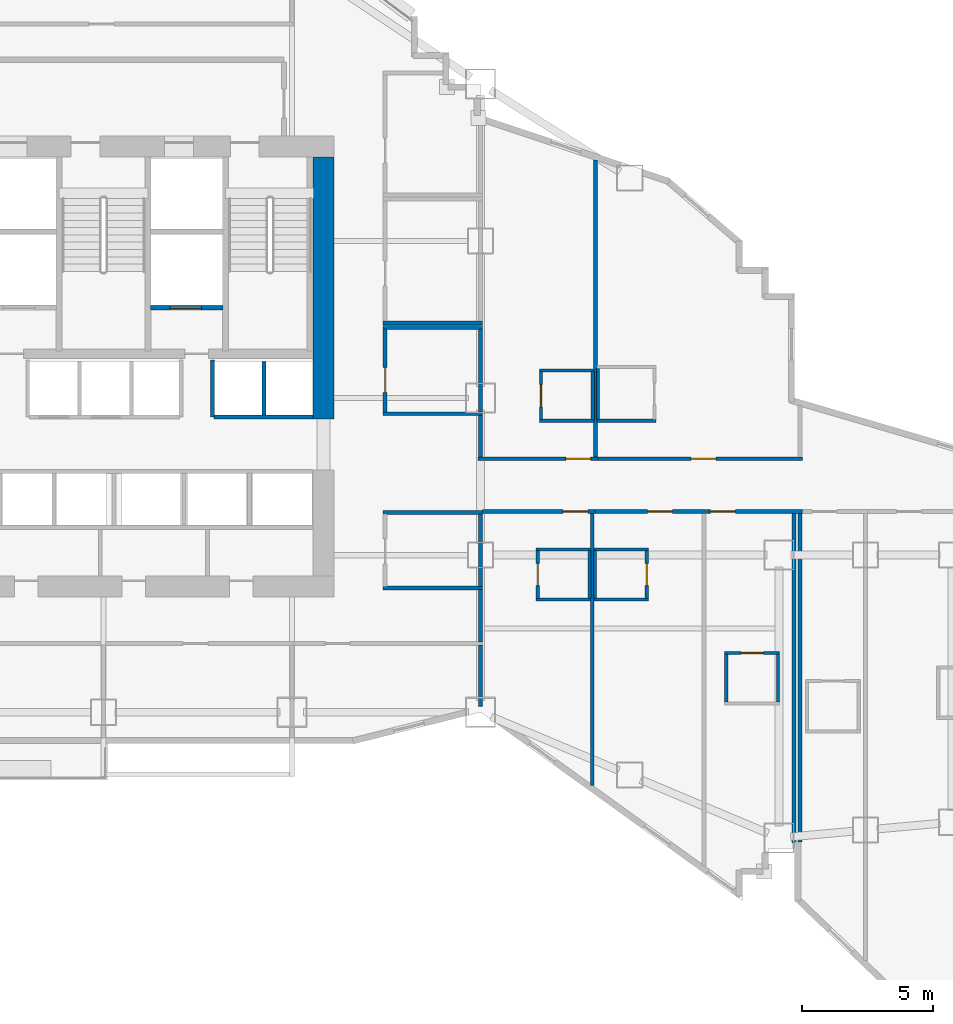
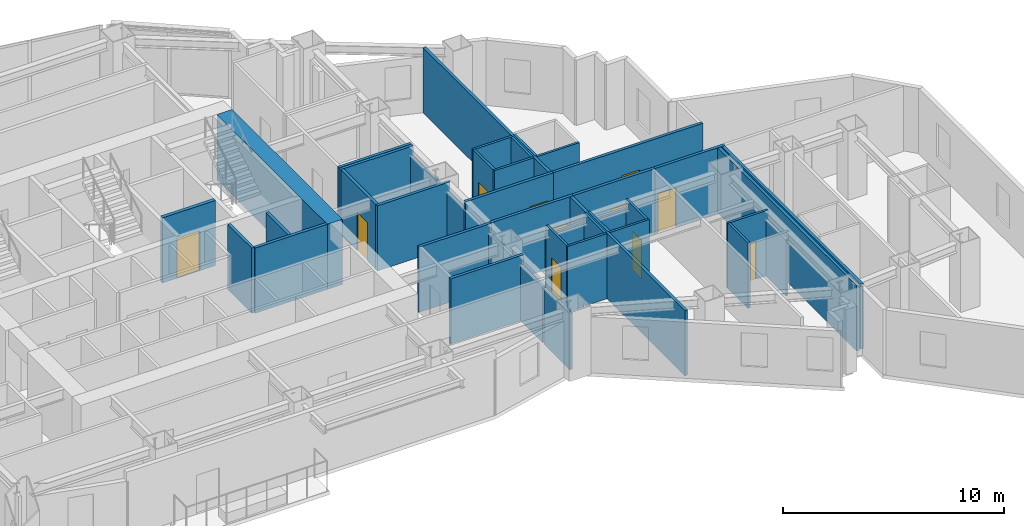
# One storey, part 9 of 17: 42 walls, 11 doors, 11 openings.
"""IFC4 building model written with IfcOpenShell, lengths in metres."""

from ifc_helpers import new_model, si_unit, direction, frame, frame_2d, origin, place, context, subcontext, project, spatial, rectangle, extrude, material, layer, layer_set, type_object, element, fill, save


model = new_model("IFC4")

# Units and contexts
model_context = context("Model", 3, precision=1e-05, world=origin(), true_north=direction((0.0, 1.0)))
body_context = subcontext(model_context, "Body", "Model", "MODEL_VIEW")
ifc_project = project(units=[si_unit("LENGTHUNIT", "METRE"), si_unit("AREAUNIT", "SQUARE_METRE"), si_unit("VOLUMEUNIT", "CUBIC_METRE"), si_unit("PLANEANGLEUNIT", "RADIAN"), si_unit("MASSUNIT", "GRAM", prefix="KILO")], contexts=[model_context])

# Site, building, storey
site_placement = place(None, origin())
site = spatial("IfcSite", under=ifc_project, at=site_placement, CompositionType="ELEMENT")
building_placement = place(site_placement, origin())
building = spatial("IfcBuilding", under=site, at=building_placement, Name="Haolan Belvedere Tower", CompositionType="ELEMENT")
storey_placement = place(building_placement, frame((0.0, 0.0, 55.199951171875)))
storey = spatial("IfcBuildingStorey", under=building, at=storey_placement, Name="L13", CompositionType="ELEMENT", Elevation=55.199951171875)

# Walls
ifc_material_1 = material(Name="Concrete C70/85", Category="concrete")
ifc_layer_1 = layer(ifc_material_1, 0.800048828125, Name="Concrete C70/85")
ifc_layer_set_1 = layer_set([ifc_layer_1], Name="Concrete C70/85")
wall_type_1 = type_object("IfcWallType", Name="WL-CORE-800", PredefinedType="SHEAR", material=ifc_layer_set_1)
wall_1_placement = place(storey_placement, frame((46.800048828125, 32.800048828125, 0.0), z_axis=(0.0, 0.0, 1.0), x_axis=(0.0, 1.0, 0.0)))
element("IfcWall", 1, at=wall_1_placement, inside=storey, type_object=wall_type_1, Name="L13 central core shear wall EN", PredefinedType="SHEAR", context=body_context, shape_type="SweptSolid", body=[
    extrude(rectangle(XDim=10.0, YDim=0.800048828125, at=frame_2d((5.0, 0.0))), origin(), (0.0, 0.0, 1.0), 3.60009765625),
])
ifc_material_2 = material(Name="Double gypsum acoustic stud partition", Category="masonry")
ifc_layer_2 = layer(ifc_material_2, 0.14990234375, Name="Double gypsum acoustic stud partition")
ifc_layer_set_2 = layer_set([ifc_layer_2], Name="Double gypsum acoustic stud partition")
wall_type_2 = type_object("IfcWallType", Name="WL-PART-150", PredefinedType="PARTITIONING", material=ifc_layer_set_2)
for number, where, z_axis, x_axis, name in (
    (2, (49.080078125, 36.300048828125, 0.0), (0.0, 0.0, 1.0), (1.0, 0.0, 0.0), "L13 interior partition IW-L13-AWC-N"),
    (3, (49.080078125, 33.0, 0.0), (0.0, 0.0, 1.0), (1.0, 0.0, 0.0), "L13 interior partition IW-L13-AWC-S"),
):
    element("IfcWall", number, at=place(storey_placement, frame(where, z_axis=z_axis, x_axis=x_axis)), inside=storey, type_object=wall_type_2, Name=name, PredefinedType="PARTITIONING", context=body_context, shape_type="SweptSolid", body=[
        extrude(rectangle(XDim=3.7998046875, YDim=0.14990234375, at=frame_2d((1.89990234375, 0.0))), origin(), (0.0, 0.0, 1.0), 3.60009765625),
    ])

# Wall, opening, door
wall_2_placement = place(storey_placement, frame((49.159912109375, 33.06005859375, 0.0), z_axis=(0.0, 0.0, 1.0), x_axis=(0.0, 1.0, 0.0)))
wall_2 = element("IfcWall", 4, at=wall_2_placement, inside=storey, type_object=wall_type_2, Name="L13 interior partition IW-L13-AWC-W", PredefinedType="PARTITIONING", context=body_context, shape_type="SweptSolid", body=[
    extrude(rectangle(XDim=3.179931640625, YDim=0.14990234375, at=frame_2d((1.58984375, 0.0))), origin(), (0.0, 0.0, 1.0), 3.60009765625),
])
opening_1_placement = place(wall_2_placement, frame((0.760009765625, 0.0, 0.0)))
opening_1 = element("IfcOpeningElement", 5, at=opening_1_placement, cuts=wall_2, Name="Opening ID-03", PredefinedType="OPENING", context=body_context, shape_type="SweptSolid", body=[
    extrude(rectangle(XDim=0.949951171875, YDim=2.1201171875, at=frame_2d((0.47509765625, 1.06005859375))), frame((0.0, 0.0849609375, 0.0), z_axis=(0.0, -1.0, 0.0), x_axis=(1.0, 0.0, 0.0)), (0.0, 0.0, 1.0), 0.169921875),
])
ifc_material_3 = material(Name="Painted solid-core timber", Category="wood")
door_type_1 = type_object("IfcDoorType", Name="DR-INT-950", OperationType="NOTDEFINED", PredefinedType="DOOR", material=ifc_material_3)
door_1_placement = place(opening_1_placement, origin())
door_1 = element("IfcDoor", 6, at=door_1_placement, inside=storey, type_object=door_type_1, Name="L13 door ID-L13-AWC", OperationType="SINGLE_SWING_LEFT", OverallHeight=2.1201171875, OverallWidth=0.949951171875, PredefinedType="DOOR", context=body_context, shape_type="SweptSolid", body=[
    extrude(rectangle(XDim=0.949951171875, YDim=2.1201171875, at=frame_2d((0.47509765625, 1.06005859375))), frame((0.0, 0.02490234375, 0.0), z_axis=(0.0, -1.0, 0.0), x_axis=(1.0, 0.0, 0.0)), (0.0, 0.0, 1.0), 0.050048828125),
])
fill(opening_1, door_1)

# Walls
wall_3_placement = place(storey_placement, frame((52.800048828125, 33.06005859375, 0.0), z_axis=(0.0, 0.0, 1.0), x_axis=(0.0, 1.0, 0.0)))
element("IfcWall", 7, at=wall_3_placement, inside=storey, type_object=wall_type_2, Name="L13 interior partition IW-L13-AWC-E", PredefinedType="PARTITIONING", context=body_context, shape_type="SweptSolid", body=[
    extrude(rectangle(XDim=3.179931640625, YDim=0.14990234375, at=frame_2d((1.58984375, 0.0))), origin(), (0.0, 0.0, 1.0), 3.09716796875),
])
for number, where, z_axis, x_axis, name in (
    (8, (49.080078125, 36.4599609375, 0.0), (0.0, 0.0, 1.0), (1.0, 0.0, 0.0), "L13 interior partition IW-L13-STY-S"),
    (9, (49.080078125, 29.22998046875, 0.0), (0.0, 0.0, 1.0), (1.0, 0.0, 0.0), "L13 interior partition IW-L13-PKTE-N"),
    (10, (49.080078125, 26.35009765625, 0.0), (0.0, 0.0, 1.0), (1.0, 0.0, 0.0), "L13 interior partition IW-L13-PKTE-S"),
):
    element("IfcWall", number, at=place(storey_placement, frame(where, z_axis=z_axis, x_axis=x_axis)), inside=storey, type_object=wall_type_2, Name=name, PredefinedType="PARTITIONING", context=body_context, shape_type="SweptSolid", body=[
        extrude(rectangle(XDim=3.7998046875, YDim=0.14990234375, at=frame_2d((1.89990234375, 0.0))), origin(), (0.0, 0.0, 1.0), 3.60009765625),
    ])
wall_4_placement = place(storey_placement, frame((52.800048828125, 26.409912109375, 0.0), z_axis=(0.0, 0.0, 1.0), x_axis=(0.0, 1.0, 0.0)))
element("IfcWall", 11, at=wall_4_placement, inside=storey, type_object=wall_type_2, Name="L13 interior partition IW-L13-PKTE-E", PredefinedType="PARTITIONING", context=body_context, shape_type="SweptSolid", body=[
    extrude(rectangle(XDim=2.760009765625, YDim=0.14990234375, at=frame_2d((1.3798828125, 0.0))), origin(), (0.0, 0.0, 1.0), 3.09716796875),
])
wall_5_placement = place(storey_placement, frame((52.800048828125, 21.818603515625, 0.0), z_axis=(0.0, 0.0, 1.0), x_axis=(0.0, 1.0, 0.0)))
element("IfcWall", 12, at=wall_5_placement, inside=storey, type_object=wall_type_2, Name="L13 interior partition IW-L13-KS3-E", PredefinedType="PARTITIONING", context=body_context, shape_type="SweptSolid", body=[
    extrude(rectangle(XDim=2.34130859375, YDim=0.14990234375, at=frame_2d((1.170654296875, 0.0))), origin(), (0.0, 0.0, 1.0), 3.09716796875),
])

# Wall, opening, door
wall_6_placement = place(storey_placement, frame((52.699951171875, 31.280029296875, 0.0), z_axis=(0.0, 0.0, 1.0), x_axis=(1.0, 0.0, 0.0)))
wall_6 = element("IfcWall", 13, at=wall_6_placement, inside=storey, type_object=wall_type_2, Name="L13 interior partition IW-L13-T4N1-S", PredefinedType="PARTITIONING", context=body_context, shape_type="SweptSolid", body=[
    extrude(rectangle(XDim=4.590087890625, YDim=0.14990234375, at=frame_2d((2.294921875, 0.0))), origin(), (0.0, 0.0, 1.0), 3.60009765625),
])
opening_2_placement = place(wall_6_placement, frame((3.361328125, 0.0, 0.0)))
opening_2 = element("IfcOpeningElement", 14, at=opening_2_placement, cuts=wall_6, Name="Opening ID-02", PredefinedType="OPENING", context=body_context, shape_type="SweptSolid", body=[
    extrude(rectangle(XDim=0.949951171875, YDim=2.14990234375, at=frame_2d((0.47509765625, 1.074951171875))), frame((0.0, 0.0849609375, 0.0), z_axis=(0.0, -1.0, 0.0), x_axis=(1.0, 0.0, 0.0)), (0.0, 0.0, 1.0), 0.169921875),
])
ifc_material_4 = material(Name="Acoustic oak veneer fire-rated timber", Category="wood")
door_type_2 = type_object("IfcDoorType", Name="DR-GUEST-950", OperationType="NOTDEFINED", PredefinedType="DOOR", material=ifc_material_4)
door_2_placement = place(opening_2_placement, origin())
door_2 = element("IfcDoor", 15, at=door_2_placement, inside=storey, type_object=door_type_2, Name="L13 door ID-L13-T4N1-ENT", OperationType="SINGLE_SWING_RIGHT", OverallHeight=2.14990234375, OverallWidth=0.949951171875, PredefinedType="DOOR", context=body_context, shape_type="SweptSolid", body=[
    extrude(rectangle(XDim=0.949951171875, YDim=2.14990234375, at=frame_2d((0.47509765625, 1.074951171875))), frame((0.0, 0.02490234375, 0.0), z_axis=(0.0, -1.0, 0.0), x_axis=(1.0, 0.0, 0.0)), (0.0, 0.0, 1.0), 0.050048828125),
])
fill(opening_2, door_2)

# Walls
wall_7_placement = place(storey_placement, frame((52.800048828125, 31.340087890625, 0.0), z_axis=(0.0, 0.0, 1.0), x_axis=(0.0, 1.0, 0.0)))
element("IfcWall", 16, at=wall_7_placement, inside=storey, type_object=wall_type_2, Name="L13 interior partition IW-L13-T4N1-W", PredefinedType="PARTITIONING", context=body_context, shape_type="SweptSolid", body=[
    extrude(rectangle(XDim=1.599853515625, YDim=0.14990234375, at=frame_2d((0.7998046875, 0.0))), origin(), (0.0, 0.0, 1.0), 3.09716796875),
])
wall_8_placement = place(storey_placement, frame((57.18994140625, 31.340087890625, 0.0), z_axis=(0.0, 0.0, 1.0), x_axis=(0.0, 1.0, 0.0)))
element("IfcWall", 17, at=wall_8_placement, inside=storey, type_object=wall_type_2, Name="L13 interior partition IW-L13-T4N1-E", PredefinedType="PARTITIONING", context=body_context, shape_type="SweptSolid", body=[
    extrude(rectangle(XDim=11.359375, YDim=0.14990234375, at=frame_2d((5.6796875, 0.0))), origin(), (0.0, 0.0, 1.0), 3.60009765625),
])

# Wall, opening, door
wall_9_placement = place(storey_placement, frame((57.2919921875, 31.280029296875, 0.0), z_axis=(0.0, 0.0, 1.0), x_axis=(1.0, 0.0, 0.0)))
wall_9 = element("IfcWall", 18, at=wall_9_placement, inside=storey, type_object=wall_type_2, Name="L13 interior partition IW-L13-T4N2-S", PredefinedType="PARTITIONING", context=body_context, shape_type="SweptSolid", body=[
    extrude(rectangle(XDim=7.80810546875, YDim=0.14990234375, at=frame_2d((3.904052734375, 0.0))), origin(), (0.0, 0.0, 1.0), 3.60009765625),
])
opening_3_placement = place(wall_9_placement, frame((3.55126953125, 0.0, 0.0)))
opening_3 = element("IfcOpeningElement", 19, at=opening_3_placement, cuts=wall_9, Name="Opening ID-01", PredefinedType="OPENING", context=body_context, shape_type="SweptSolid", body=[
    extrude(rectangle(XDim=0.949951171875, YDim=2.179931640625, at=frame_2d((0.47509765625, 1.08984375))), frame((0.0, 0.0849609375, 0.0), z_axis=(0.0, -1.0, 0.0), x_axis=(1.0, 0.0, 0.0)), (0.0, 0.0, 1.0), 0.169921875),
])
ifc_material_5 = material(Name="Acoustic walnut veneer fire-rated timber", Category="wood")
door_type_3 = type_object("IfcDoorType", Name="DR-SUITE-950", OperationType="NOTDEFINED", PredefinedType="DOOR", material=ifc_material_5)
door_3_placement = place(opening_3_placement, origin())
door_3 = element("IfcDoor", 20, at=door_3_placement, inside=storey, type_object=door_type_3, Name="L13 door ID-L13-T4N2-ENT", OperationType="SINGLE_SWING_LEFT", OverallHeight=2.179931640625, OverallWidth=0.949951171875, PredefinedType="DOOR", context=body_context, shape_type="SweptSolid", body=[
    extrude(rectangle(XDim=0.949951171875, YDim=2.179931640625, at=frame_2d((0.47509765625, 1.08984375))), frame((0.0, 0.02490234375, 0.0), z_axis=(0.0, -1.0, 0.0), x_axis=(1.0, 0.0, 0.0)), (0.0, 0.0, 1.0), 0.050048828125),
])
fill(opening_3, door_3)

wall_10_placement = place(storey_placement, frame((52.882080078125, 29.27001953125, 0.0), z_axis=(0.0, 0.0, 1.0), x_axis=(1.0, 0.0, 0.0)))
wall_10 = element("IfcWall", 21, at=wall_10_placement, inside=storey, type_object=wall_type_2, Name="L13 interior partition IW-L13-T4S1-N", PredefinedType="PARTITIONING", context=body_context, shape_type="SweptSolid", body=[
    extrude(rectangle(XDim=4.287841796875, YDim=0.14990234375, at=frame_2d((2.14404296875, 0.0))), origin(), (0.0, 0.0, 1.0), 3.60009765625),
])
opening_4_placement = place(wall_10_placement, frame((4.020263671875, 0.0, 0.0), z_axis=(0.0, 0.0, 1.0), x_axis=(-1.0, 0.0, 0.0)))
opening_4 = element("IfcOpeningElement", 22, at=opening_4_placement, cuts=wall_10, Name="Opening ID-02", PredefinedType="OPENING", context=body_context, shape_type="SweptSolid", body=[
    extrude(rectangle(XDim=0.949951171875, YDim=2.14990234375, at=frame_2d((0.47509765625, 1.074951171875))), frame((0.0, 0.0849609375, 0.0), z_axis=(0.0, -1.0, 0.0), x_axis=(1.0, 0.0, 0.0)), (0.0, 0.0, 1.0), 0.169921875),
])
door_4_placement = place(opening_4_placement, origin())
door_4 = element("IfcDoor", 23, at=door_4_placement, inside=storey, type_object=door_type_2, Name="L13 door ID-L13-T4S1-ENT", OperationType="SINGLE_SWING_RIGHT", OverallHeight=2.14990234375, OverallWidth=0.949951171875, PredefinedType="DOOR", context=body_context, shape_type="SweptSolid", body=[
    extrude(rectangle(XDim=0.949951171875, YDim=2.14990234375, at=frame_2d((0.47509765625, 1.074951171875))), frame((0.0, 0.02490234375, 0.0), z_axis=(0.0, -1.0, 0.0), x_axis=(1.0, 0.0, 0.0)), (0.0, 0.0, 1.0), 0.050048828125),
])
fill(opening_4, door_4)

# Walls
wall_11_placement = place(storey_placement, frame((52.800048828125, 24.280029296875, 0.0), z_axis=(0.0, 0.0, 1.0), x_axis=(0.0, 1.0, 0.0)))
element("IfcWall", 24, at=wall_11_placement, inside=storey, type_object=wall_type_2, Name="L13 interior partition IW-L13-T4S1-W", PredefinedType="PARTITIONING", context=body_context, shape_type="SweptSolid", body=[
    extrude(rectangle(XDim=2.010009765625, YDim=0.14990234375, at=frame_2d((1.0048828125, 0.0))), origin(), (0.0, 0.0, 1.0), 3.09716796875),
])
wall_12_placement = place(storey_placement, frame((57.070068359375, 18.802978515625, 0.0), z_axis=(0.0, 0.0, 1.0), x_axis=(0.0, 1.0, 0.0)))
element("IfcWall", 25, at=wall_12_placement, inside=storey, type_object=wall_type_2, Name="L13 interior partition IW-L13-T4S1-E", PredefinedType="PARTITIONING", context=body_context, shape_type="SweptSolid", body=[
    extrude(rectangle(XDim=10.406982421875, YDim=0.14990234375, at=frame_2d((5.20361328125, 0.0))), origin(), (0.0, 0.0, 1.0), 3.60009765625),
])

# Wall, opening, door
wall_13_placement = place(storey_placement, frame((57.172119140625, 29.27001953125, 0.0), z_axis=(0.0, 0.0, 1.0), x_axis=(1.0, 0.0, 0.0)))
wall_13 = element("IfcWall", 26, at=wall_13_placement, inside=storey, type_object=wall_type_2, Name="L13 interior partition IW-L13-T4S2-N", PredefinedType="PARTITIONING", context=body_context, shape_type="SweptSolid", body=[
    extrude(rectangle(XDim=4.267822265625, YDim=0.14990234375, at=frame_2d((2.1337890625, 0.0))), origin(), (0.0, 0.0, 1.0), 3.60009765625),
])
opening_5_placement = place(wall_13_placement, frame((2.95947265625, 0.0, 0.0), z_axis=(0.0, 0.0, 1.0), x_axis=(-1.0, 0.0, 0.0)))
opening_5 = element("IfcOpeningElement", 27, at=opening_5_placement, cuts=wall_13, Name="Opening ID-02", PredefinedType="OPENING", context=body_context, shape_type="SweptSolid", body=[
    extrude(rectangle(XDim=0.949951171875, YDim=2.14990234375, at=frame_2d((0.47509765625, 1.074951171875))), frame((0.0, 0.0849609375, 0.0), z_axis=(0.0, -1.0, 0.0), x_axis=(1.0, 0.0, 0.0)), (0.0, 0.0, 1.0), 0.169921875),
])
door_5_placement = place(opening_5_placement, origin())
door_5 = element("IfcDoor", 28, at=door_5_placement, inside=storey, type_object=door_type_2, Name="L13 door ID-L13-T4S2-ENT", OperationType="SINGLE_SWING_LEFT", OverallHeight=2.14990234375, OverallWidth=0.949951171875, PredefinedType="DOOR", context=body_context, shape_type="SweptSolid", body=[
    extrude(rectangle(XDim=0.949951171875, YDim=2.14990234375, at=frame_2d((0.47509765625, 1.074951171875))), frame((0.0, 0.02490234375, 0.0), z_axis=(0.0, -1.0, 0.0), x_axis=(1.0, 0.0, 0.0)), (0.0, 0.0, 1.0), 0.050048828125),
])
fill(opening_5, door_5)

wall_14_placement = place(storey_placement, frame((61.44189453125, 29.27001953125, 0.0), z_axis=(0.0, 0.0, 1.0), x_axis=(1.0, 0.0, 0.0)))
wall_14 = element("IfcWall", 29, at=wall_14_placement, inside=storey, type_object=wall_type_2, Name="L13 interior partition IW-L13-T4S3-N", PredefinedType="PARTITIONING", context=body_context, shape_type="SweptSolid", body=[
    extrude(rectangle(XDim=3.658203125, YDim=0.14990234375, at=frame_2d((1.8291015625, 0.0))), origin(), (0.0, 0.0, 1.0), 3.60009765625),
])
opening_6_placement = place(wall_14_placement, frame((1.08984375, 0.0, 0.0), z_axis=(0.0, 0.0, 1.0), x_axis=(-1.0, 0.0, 0.0)))
opening_6 = element("IfcOpeningElement", 30, at=opening_6_placement, cuts=wall_14, Name="Opening ID-02", PredefinedType="OPENING", context=body_context, shape_type="SweptSolid", body=[
    extrude(rectangle(XDim=0.949951171875, YDim=2.14990234375, at=frame_2d((0.47509765625, 1.074951171875))), frame((0.0, 0.0849609375, 0.0), z_axis=(0.0, -1.0, 0.0), x_axis=(1.0, 0.0, 0.0)), (0.0, 0.0, 1.0), 0.169921875),
])
door_6_placement = place(opening_6_placement, origin())
door_6 = element("IfcDoor", 31, at=door_6_placement, inside=storey, type_object=door_type_2, Name="L13 door ID-L13-T4S3-ENT", OperationType="SINGLE_SWING_RIGHT", OverallHeight=2.14990234375, OverallWidth=0.949951171875, PredefinedType="DOOR", context=body_context, shape_type="SweptSolid", body=[
    extrude(rectangle(XDim=0.949951171875, YDim=2.14990234375, at=frame_2d((0.47509765625, 1.074951171875))), frame((0.0, 0.02490234375, 0.0), z_axis=(0.0, -1.0, 0.0), x_axis=(1.0, 0.0, 0.0)), (0.0, 0.0, 1.0), 0.050048828125),
])
fill(opening_6, door_6)

# Walls
wall_15_placement = place(storey_placement, frame((65.0, 16.64208984375, 0.0), z_axis=(0.0, 0.0, 1.0), x_axis=(0.0, 1.0, 0.0)))
element("IfcWall", 32, at=wall_15_placement, inside=storey, type_object=wall_type_2, Name="L13 interior partition IW-L13-T4S3-E", PredefinedType="PARTITIONING", context=body_context, shape_type="SweptSolid", body=[
    extrude(rectangle(XDim=12.56787109375, YDim=0.14990234375, at=frame_2d((6.283935546875, 0.0))), origin(), (0.0, 0.0, 1.0), 3.60009765625),
])
wall_16_placement = place(storey_placement, frame((64.780029296875, 16.612060546875, 0.0), z_axis=(0.0, 0.0, 1.0), x_axis=(0.0, 1.0, 0.0)))
element("IfcWall", 33, at=wall_16_placement, inside=storey, type_object=wall_type_2, Name="L13 interior partition IW-L13-T5S1-W", PredefinedType="PARTITIONING", context=body_context, shape_type="SweptSolid", body=[
    extrude(rectangle(XDim=12.597900390625, YDim=0.14990234375, at=frame_2d((6.298828125, 0.0))), origin(), (0.0, 0.0, 1.0), 3.60009765625),
])
ifc_material_6 = material(Name="Gypsum fire shaftwall assembly", Category="masonry")
ifc_layer_3 = layer(ifc_material_6, 0.1650390625, Name="Gypsum fire shaftwall assembly")
ifc_layer_set_3 = layer_set([ifc_layer_3], Name="Gypsum fire shaftwall assembly")
wall_type_3 = type_object("IfcWallType", Name="WL-SHAFT-160", PredefinedType="SOLIDWALL", material=ifc_layer_set_3)
wall_17_placement = place(storey_placement, frame((42.570068359375, 32.8798828125, 0.0), z_axis=(0.0, 0.0, 1.0), x_axis=(0.0, 1.0, 0.0)))
element("IfcWall", 34, at=wall_17_placement, inside=storey, type_object=wall_type_3, Name="L13 interior partition IW-L13-SVP-E-SV2", PredefinedType="SOLIDWALL", context=body_context, shape_type="SweptSolid", body=[
    extrude(rectangle(XDim=2.170166015625, YDim=0.14990234375, at=frame_2d((1.0849609375, 0.0))), origin(), (0.0, 0.0, 1.0), 3.60009765625),
])
wall_18_placement = place(storey_placement, frame((42.6298828125, 32.8798828125, 0.0), z_axis=(0.0, 0.0, 1.0), x_axis=(1.0, 0.0, 0.0)))
element("IfcWall", 35, at=wall_18_placement, inside=storey, type_object=wall_type_3, Name="L13 interior partition IW-L13-ROW-PN3", PredefinedType="SOLIDWALL", context=body_context, shape_type="SweptSolid", body=[
    extrude(rectangle(XDim=3.77001953125, YDim=0.159912109375, at=frame_2d((1.885009765625, 0.0))), origin(), (0.0, 0.0, 1.0), 3.60009765625),
])
wall_19_placement = place(storey_placement, frame((44.530029296875, 32.949951171875, 0.0), z_axis=(0.0, 0.0, 1.0), x_axis=(0.0, 1.0, 0.0)))
element("IfcWall", 36, at=wall_19_placement, inside=storey, type_object=wall_type_3, Name="L13 interior partition IW-L13-DIV-PH2", PredefinedType="SOLIDWALL", context=body_context, shape_type="SweptSolid", body=[
    extrude(rectangle(XDim=2.050048828125, YDim=0.14990234375, at=frame_2d((1.02490234375, 0.0))), origin(), (0.0, 0.0, 1.0), 3.60009765625),
])

# Wall, opening, door
ifc_material_7 = material(Name="Precast concrete C40/50", Category="concrete")
ifc_layer_4 = layer(ifc_material_7, 0.179931640625, Name="Precast concrete C40/50")
ifc_layer_set_4 = layer_set([ifc_layer_4], Name="Precast concrete C40/50")
wall_type_4 = type_object("IfcWallType", Name="WL-SHAFT-180", PredefinedType="SOLIDWALL", material=ifc_layer_set_4)
wall_20_placement = place(storey_placement, frame((40.195068359375, 37.050048828125, 0.0), z_axis=(0.0, 0.0, 1.0), x_axis=(1.0, 0.0, 0.0)))
wall_20 = element("IfcWall", 37, at=wall_20_placement, inside=storey, type_object=wall_type_4, Name="L13 interior partition IW-L13-SV2-S", PredefinedType="SOLIDWALL", context=body_context, shape_type="SweptSolid", body=[
    extrude(rectangle(XDim=2.77001953125, YDim=0.179931640625, at=frame_2d((1.385009765625, 0.0))), origin(), (0.0, 0.0, 1.0), 3.60009765625),
])
opening_7_placement = place(wall_20_placement, frame((1.945068359375, 0.0, 0.0), z_axis=(0.0, 0.0, 1.0), x_axis=(-1.0, 0.0, 0.0)))
opening_7 = element("IfcOpeningElement", 38, at=opening_7_placement, cuts=wall_20, Name="Opening LD-02", PredefinedType="OPENING", context=body_context, shape_type="SweptSolid", body=[
    extrude(rectangle(XDim=1.199951171875, YDim=2.199951171875, at=frame_2d((0.60009765625, 1.10009765625))), frame((0.0, 0.099853515625, 0.0), z_axis=(0.0, -1.0, 0.0), x_axis=(1.0, 0.0, 0.0)), (0.0, 0.0, 1.0), 0.199951171875),
])
ifc_material_8 = material(Name="Brushed champagne stainless steel 316L", Category="steel")
door_type_4 = type_object("IfcDoorType", Name="DR-LIFT-1200", OperationType="SLIDING_TO_RIGHT", PredefinedType="DOOR", material=ifc_material_8)
door_7_placement = place(opening_7_placement, origin())
door_7 = element("IfcDoor", 39, at=door_7_placement, inside=storey, type_object=door_type_4, Name="L13 door ID-L13-LD-SV2", OperationType="SLIDING_TO_RIGHT", OverallHeight=2.199951171875, OverallWidth=1.199951171875, PredefinedType="DOOR", context=body_context, shape_type="SweptSolid", body=[
    extrude(rectangle(XDim=1.199951171875, YDim=2.199951171875, at=frame_2d((0.60009765625, 1.10009765625))), frame((0.0, 0.02490234375, 0.0), z_axis=(0.0, -1.0, 0.0), x_axis=(1.0, 0.0, 0.0)), (0.0, 0.0, 1.0), 0.050048828125),
])
fill(opening_7, door_7)

# Walls
ifc_material_9 = material(Name="Moisture-resistant gypsum tile partition", Category="masonry")
ifc_layer_5 = layer(ifc_material_9, 0.1201171875, Name="Moisture-resistant gypsum tile partition")
ifc_layer_set_5 = layer_set([ifc_layer_5], Name="Moisture-resistant gypsum tile partition")
wall_type_5 = type_object("IfcWallType", Name="WL-WET-120", PredefinedType="PARTITIONING", material=ifc_layer_set_5)
for number, where, z_axis, x_axis, name in (
    (40, (55.050048828125, 34.64990234375, 0.0), (0.0, 0.0, 1.0), (1.0, 0.0, 0.0), "L13 interior partition IW-L13-T4N1-BN"),
    (41, (55.050048828125, 32.72998046875, 0.0), (0.0, 0.0, 1.0), (1.0, 0.0, 0.0), "L13 interior partition IW-L13-T4N1-BS"),
):
    element("IfcWall", number, at=place(storey_placement, frame(where, z_axis=z_axis, x_axis=x_axis)), inside=storey, type_object=wall_type_5, Name=name, PredefinedType="PARTITIONING", context=body_context, shape_type="SweptSolid", body=[
        extrude(rectangle(XDim=2.079833984375, YDim=0.1201171875, at=frame_2d((1.0400390625, 0.0))), origin(), (0.0, 0.0, 1.0), 3.60009765625),
    ])

# Wall, opening, door
wall_21_placement = place(storey_placement, frame((55.110107421875, 32.77490234375, 0.0), z_axis=(0.0, 0.0, 1.0), x_axis=(0.0, 1.0, 0.0)))
wall_21 = element("IfcWall", 42, at=wall_21_placement, inside=storey, type_object=wall_type_5, Name="L13 interior partition IW-L13-T4N1-BW", PredefinedType="PARTITIONING", context=body_context, shape_type="SweptSolid", body=[
    extrude(rectangle(XDim=1.830078125, YDim=0.1201171875, at=frame_2d((0.9150390625, 0.0))), origin(), (0.0, 0.0, 1.0), 3.60009765625),
])
opening_8_placement = place(wall_21_placement, frame((1.340087890625, 0.0, 0.0), z_axis=(0.0, 0.0, 1.0), x_axis=(-1.0, 0.0, 0.0)))
opening_8 = element("IfcOpeningElement", 43, at=opening_8_placement, cuts=wall_21, Name="Opening ID-05", PredefinedType="OPENING", context=body_context, shape_type="SweptSolid", body=[
    extrude(rectangle(XDim=0.85009765625, YDim=2.10009765625, at=frame_2d((0.425048828125, 1.050048828125))), frame((0.0, 0.070068359375, 0.0), z_axis=(0.0, -1.0, 0.0), x_axis=(1.0, 0.0, 0.0)), (0.0, 0.0, 1.0), 0.14013671875),
])
ifc_material_10 = material(Name="Moisture-resistant lacquered timber", Category="wood")
door_type_5 = type_object("IfcDoorType", Name="DR-BATH-850", OperationType="NOTDEFINED", PredefinedType="DOOR", material=ifc_material_10)
door_8_placement = place(opening_8_placement, origin())
door_8 = element("IfcDoor", 44, at=door_8_placement, inside=storey, type_object=door_type_5, Name="L13 door ID-L13-T4N1-BATH", OperationType="SINGLE_SWING_LEFT", OverallHeight=2.10009765625, OverallWidth=0.85009765625, PredefinedType="DOOR", context=body_context, shape_type="SweptSolid", body=[
    extrude(rectangle(XDim=0.85009765625, YDim=2.10009765625, at=frame_2d((0.425048828125, 1.050048828125))), frame((0.0, 0.02490234375, 0.0), z_axis=(0.0, -1.0, 0.0), x_axis=(1.0, 0.0, 0.0)), (0.0, 0.0, 1.0), 0.050048828125),
])
fill(opening_8, door_8)

# Walls
wall_22_placement = place(storey_placement, frame((57.090087890625, 32.77490234375, 0.0), z_axis=(0.0, 0.0, 1.0), x_axis=(0.0, 1.0, 0.0)))
element("IfcWall", 45, at=wall_22_placement, inside=storey, type_object=wall_type_5, Name="L13 interior partition IW-L13-T4N1-BE", PredefinedType="PARTITIONING", context=body_context, shape_type="SweptSolid", body=[
    extrude(rectangle(XDim=1.830078125, YDim=0.1201171875, at=frame_2d((0.9150390625, 0.0))), origin(), (0.0, 0.0, 1.0), 3.60009765625),
])
wall_23_placement = place(storey_placement, frame((57.25, 32.72998046875, 0.0), z_axis=(0.0, 0.0, 1.0), x_axis=(1.0, 0.0, 0.0)))
element("IfcWall", 46, at=wall_23_placement, inside=storey, type_object=wall_type_5, Name="L13 interior partition IW-L13-T4N2-BS", PredefinedType="PARTITIONING", context=body_context, shape_type="SweptSolid", body=[
    extrude(rectangle(XDim=2.25, YDim=0.1201171875, at=frame_2d((1.125, 0.0))), origin(), (0.0, 0.0, 1.0), 3.60009765625),
])
wall_24_placement = place(storey_placement, frame((57.2900390625, 32.77490234375, 0.0), z_axis=(0.0, 0.0, 1.0), x_axis=(0.0, 1.0, 0.0)))
element("IfcWall", 47, at=wall_24_placement, inside=storey, type_object=wall_type_5, Name="L13 interior partition IW-L13-T4N2-BW", PredefinedType="PARTITIONING", context=body_context, shape_type="SweptSolid", body=[
    extrude(rectangle(XDim=1.960205078125, YDim=0.1201171875, at=frame_2d((0.97998046875, 0.0))), origin(), (0.0, 0.0, 1.0), 3.60009765625),
])
wall_25_placement = place(storey_placement, frame((54.929931640625, 27.820068359375, 0.0), z_axis=(0.0, 0.0, 1.0), x_axis=(1.0, 0.0, 0.0)))
element("IfcWall", 48, at=wall_25_placement, inside=storey, type_object=wall_type_5, Name="L13 interior partition IW-L13-T4S1-BN", PredefinedType="PARTITIONING", context=body_context, shape_type="SweptSolid", body=[
    extrude(rectangle(XDim=2.080078125, YDim=0.1201171875, at=frame_2d((1.0400390625, 0.0))), origin(), (0.0, 0.0, 1.0), 3.09716796875),
])
wall_26_placement = place(storey_placement, frame((54.929931640625, 25.89990234375, 0.0), z_axis=(0.0, 0.0, 1.0), x_axis=(1.0, 0.0, 0.0)))
element("IfcWall", 49, at=wall_26_placement, inside=storey, type_object=wall_type_5, Name="L13 interior partition IW-L13-T4S1-BS", PredefinedType="PARTITIONING", context=body_context, shape_type="SweptSolid", body=[
    extrude(rectangle(XDim=2.080078125, YDim=0.1201171875, at=frame_2d((1.0400390625, 0.0))), origin(), (0.0, 0.0, 1.0), 3.60009765625),
])

# Wall, opening, door
wall_27_placement = place(storey_placement, frame((54.989990234375, 25.945068359375, 0.0), z_axis=(0.0, 0.0, 1.0), x_axis=(0.0, 1.0, 0.0)))
wall_27 = element("IfcWall", 50, at=wall_27_placement, inside=storey, type_object=wall_type_5, Name="L13 interior partition IW-L13-T4S1-BW", PredefinedType="PARTITIONING", context=body_context, shape_type="SweptSolid", body=[
    extrude(rectangle(XDim=1.829833984375, YDim=0.1201171875, at=frame_2d((0.9150390625, 0.0))), origin(), (0.0, 0.0, 1.0), 3.60009765625),
])
opening_9_placement = place(wall_27_placement, frame((1.340087890625, 0.0, 0.0), z_axis=(0.0, 0.0, 1.0), x_axis=(-1.0, 0.0, 0.0)))
opening_9 = element("IfcOpeningElement", 51, at=opening_9_placement, cuts=wall_27, Name="Opening ID-05", PredefinedType="OPENING", context=body_context, shape_type="SweptSolid", body=[
    extrude(rectangle(XDim=0.85009765625, YDim=2.10009765625, at=frame_2d((0.425048828125, 1.050048828125))), frame((0.0, 0.070068359375, 0.0), z_axis=(0.0, -1.0, 0.0), x_axis=(1.0, 0.0, 0.0)), (0.0, 0.0, 1.0), 0.14013671875),
])
door_9_placement = place(opening_9_placement, origin())
door_9 = element("IfcDoor", 52, at=door_9_placement, inside=storey, type_object=door_type_5, Name="L13 door ID-L13-T4S1-BATH", OperationType="SINGLE_SWING_LEFT", OverallHeight=2.10009765625, OverallWidth=0.85009765625, PredefinedType="DOOR", context=body_context, shape_type="SweptSolid", body=[
    extrude(rectangle(XDim=0.85009765625, YDim=2.10009765625, at=frame_2d((0.425048828125, 1.050048828125))), frame((0.0, 0.02490234375, 0.0), z_axis=(0.0, -1.0, 0.0), x_axis=(1.0, 0.0, 0.0)), (0.0, 0.0, 1.0), 0.050048828125),
])
fill(opening_9, door_9)

# Walls
wall_28_placement = place(storey_placement, frame((56.969970703125, 25.945068359375, 0.0), z_axis=(0.0, 0.0, 1.0), x_axis=(0.0, 1.0, 0.0)))
element("IfcWall", 53, at=wall_28_placement, inside=storey, type_object=wall_type_5, Name="L13 interior partition IW-L13-T4S1-BE", PredefinedType="PARTITIONING", context=body_context, shape_type="SweptSolid", body=[
    extrude(rectangle(XDim=1.829833984375, YDim=0.1201171875, at=frame_2d((0.9150390625, 0.0))), origin(), (0.0, 0.0, 1.0), 3.60009765625),
])
wall_29_placement = place(storey_placement, frame((57.1298828125, 27.820068359375, 0.0), z_axis=(0.0, 0.0, 1.0), x_axis=(1.0, 0.0, 0.0)))
element("IfcWall", 54, at=wall_29_placement, inside=storey, type_object=wall_type_5, Name="L13 interior partition IW-L13-T4S2-BN", PredefinedType="PARTITIONING", context=body_context, shape_type="SweptSolid", body=[
    extrude(rectangle(XDim=2.080078125, YDim=0.1201171875, at=frame_2d((1.0400390625, 0.0))), origin(), (0.0, 0.0, 1.0), 3.09716796875),
])
wall_30_placement = place(storey_placement, frame((57.1298828125, 25.89990234375, 0.0), z_axis=(0.0, 0.0, 1.0), x_axis=(1.0, 0.0, 0.0)))
element("IfcWall", 55, at=wall_30_placement, inside=storey, type_object=wall_type_5, Name="L13 interior partition IW-L13-T4S2-BS", PredefinedType="PARTITIONING", context=body_context, shape_type="SweptSolid", body=[
    extrude(rectangle(XDim=2.080078125, YDim=0.1201171875, at=frame_2d((1.0400390625, 0.0))), origin(), (0.0, 0.0, 1.0), 3.60009765625),
])
wall_31_placement = place(storey_placement, frame((57.169921875, 25.945068359375, 0.0), z_axis=(0.0, 0.0, 1.0), x_axis=(0.0, 1.0, 0.0)))
element("IfcWall", 56, at=wall_31_placement, inside=storey, type_object=wall_type_5, Name="L13 interior partition IW-L13-T4S2-BW", PredefinedType="PARTITIONING", context=body_context, shape_type="SweptSolid", body=[
    extrude(rectangle(XDim=1.829833984375, YDim=0.1201171875, at=frame_2d((0.9150390625, 0.0))), origin(), (0.0, 0.0, 1.0), 3.60009765625),
])

# Wall, opening, door
wall_32_placement = place(storey_placement, frame((59.14990234375, 25.945068359375, 0.0), z_axis=(0.0, 0.0, 1.0), x_axis=(0.0, 1.0, 0.0)))
wall_32 = element("IfcWall", 57, at=wall_32_placement, inside=storey, type_object=wall_type_5, Name="L13 interior partition IW-L13-T4S2-BE", PredefinedType="PARTITIONING", context=body_context, shape_type="SweptSolid", body=[
    extrude(rectangle(XDim=1.829833984375, YDim=0.1201171875, at=frame_2d((0.9150390625, 0.0))), origin(), (0.0, 0.0, 1.0), 3.60009765625),
])
opening_10_placement = place(wall_32_placement, frame((0.489990234375, 0.0, 0.0)))
opening_10 = element("IfcOpeningElement", 58, at=opening_10_placement, cuts=wall_32, Name="Opening ID-05", PredefinedType="OPENING", context=body_context, shape_type="SweptSolid", body=[
    extrude(rectangle(XDim=0.85009765625, YDim=2.10009765625, at=frame_2d((0.425048828125, 1.050048828125))), frame((0.0, 0.070068359375, 0.0), z_axis=(0.0, -1.0, 0.0), x_axis=(1.0, 0.0, 0.0)), (0.0, 0.0, 1.0), 0.14013671875),
])
door_10_placement = place(opening_10_placement, origin())
door_10 = element("IfcDoor", 59, at=door_10_placement, inside=storey, type_object=door_type_5, Name="L13 door ID-L13-T4S2-BATH", OperationType="SINGLE_SWING_RIGHT", OverallHeight=2.10009765625, OverallWidth=0.85009765625, PredefinedType="DOOR", context=body_context, shape_type="SweptSolid", body=[
    extrude(rectangle(XDim=0.85009765625, YDim=2.10009765625, at=frame_2d((0.425048828125, 1.050048828125))), frame((0.0, 0.02490234375, 0.0), z_axis=(0.0, -1.0, 0.0), x_axis=(1.0, 0.0, 0.0)), (0.0, 0.0, 1.0), 0.050048828125),
])
fill(opening_10, door_10)

wall_33_placement = place(storey_placement, frame((62.1279296875, 23.860107421875, 0.0), z_axis=(0.0, 0.0, 1.0), x_axis=(1.0, 0.0, 0.0)))
wall_33 = element("IfcWall", 60, at=wall_33_placement, inside=storey, type_object=wall_type_5, Name="L13 interior partition IW-L13-T4S3-BN", PredefinedType="PARTITIONING", context=body_context, shape_type="SweptSolid", body=[
    extrude(rectangle(XDim=2.10009765625, YDim=0.1201171875, at=frame_2d((1.050048828125, 0.0))), origin(), (0.0, 0.0, 1.0), 3.60009765625),
])
opening_11_placement = place(wall_33_placement, frame((1.47509765625, 0.0, 0.0), z_axis=(0.0, 0.0, 1.0), x_axis=(-1.0, 0.0, 0.0)))
opening_11 = element("IfcOpeningElement", 61, at=opening_11_placement, cuts=wall_33, Name="Opening ID-05", PredefinedType="OPENING", context=body_context, shape_type="SweptSolid", body=[
    extrude(rectangle(XDim=0.85009765625, YDim=2.10009765625, at=frame_2d((0.425048828125, 1.050048828125))), frame((0.0, 0.070068359375, 0.0), z_axis=(0.0, -1.0, 0.0), x_axis=(1.0, 0.0, 0.0)), (0.0, 0.0, 1.0), 0.14013671875),
])
door_11_placement = place(opening_11_placement, origin())
door_11 = element("IfcDoor", 62, at=door_11_placement, inside=storey, type_object=door_type_5, Name="L13 door ID-L13-T4S3-BATH", OperationType="SINGLE_SWING_LEFT", OverallHeight=2.10009765625, OverallWidth=0.85009765625, PredefinedType="DOOR", context=body_context, shape_type="SweptSolid", body=[
    extrude(rectangle(XDim=0.85009765625, YDim=2.10009765625, at=frame_2d((0.425048828125, 1.050048828125))), frame((0.0, 0.02490234375, 0.0), z_axis=(0.0, -1.0, 0.0), x_axis=(1.0, 0.0, 0.0)), (0.0, 0.0, 1.0), 0.050048828125),
])
fill(opening_11, door_11)

# Walls
wall_34_placement = place(storey_placement, frame((62.18798828125, 21.985107421875, 0.0), z_axis=(0.0, 0.0, 1.0), x_axis=(0.0, 1.0, 0.0)))
element("IfcWall", 63, at=wall_34_placement, inside=storey, type_object=wall_type_5, Name="L13 interior partition IW-L13-T4S3-BW", PredefinedType="PARTITIONING", context=body_context, shape_type="SweptSolid", body=[
    extrude(rectangle(XDim=1.829833984375, YDim=0.1201171875, at=frame_2d((0.9150390625, 0.0))), origin(), (0.0, 0.0, 1.0), 3.60009765625),
])
wall_35_placement = place(storey_placement, frame((64.16796875, 21.985107421875, 0.0), z_axis=(0.0, 0.0, 1.0), x_axis=(0.0, 1.0, 0.0)))
element("IfcWall", 64, at=wall_35_placement, inside=storey, type_object=wall_type_5, Name="L13 interior partition IW-L13-T4S3-BE", PredefinedType="PARTITIONING", context=body_context, shape_type="SweptSolid", body=[
    extrude(rectangle(XDim=1.829833984375, YDim=0.1201171875, at=frame_2d((0.9150390625, 0.0))), origin(), (0.0, 0.0, 1.0), 3.09716796875),
])

save(model, "model.ifc")
